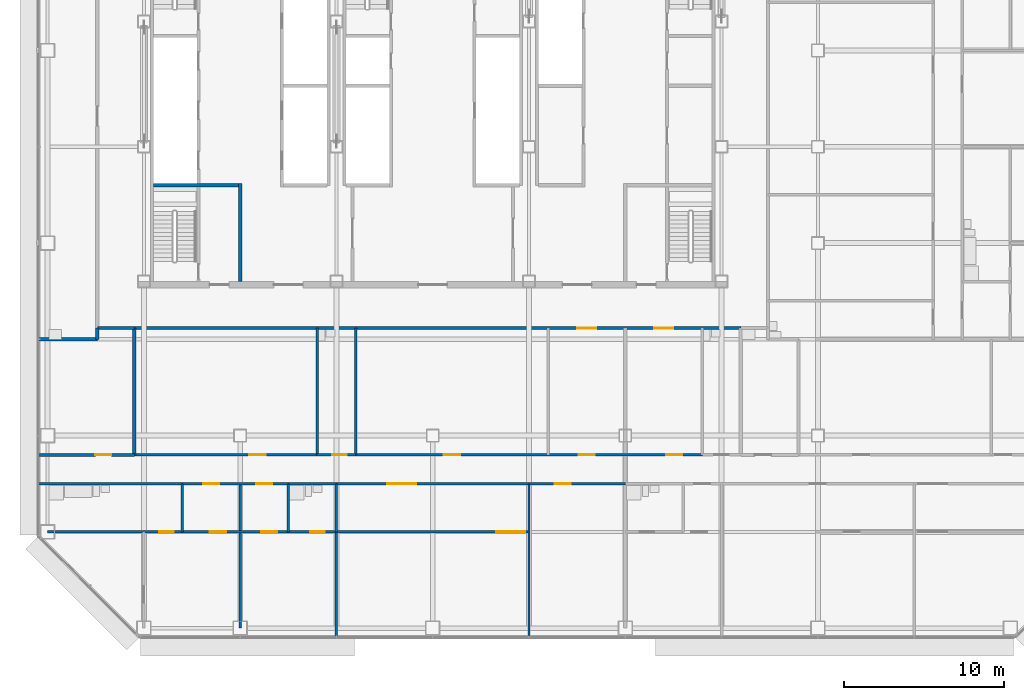
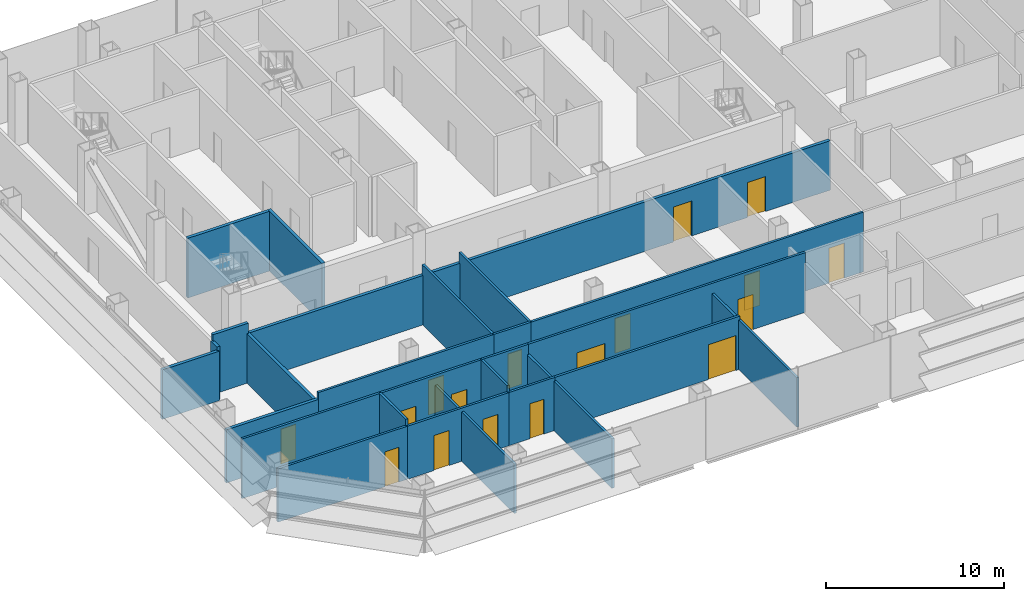
# One storey, part 20 of 27: 27 walls, 17 doors, 17 openings.
"""IFC4 building model written with IfcOpenShell, lengths in metres."""

from ifc_helpers import new_model, si_unit, direction, frame, frame_2d, origin, place, context, subcontext, project, spatial, rectangle, extrude, material, layer, layer_set, type_object, element, fill, save


model = new_model("IFC4")

# Units and contexts
model_context = context("Model", 3, precision=1e-05, world=origin(), true_north=direction((0.0, 1.0)))
body_context = subcontext(model_context, "Body", "Model", "MODEL_VIEW")
ifc_project = project(units=[si_unit("LENGTHUNIT", "METRE"), si_unit("AREAUNIT", "SQUARE_METRE"), si_unit("VOLUMEUNIT", "CUBIC_METRE"), si_unit("PLANEANGLEUNIT", "RADIAN"), si_unit("MASSUNIT", "GRAM", prefix="KILO")], contexts=[model_context])

# Site, building, storey
site_placement = place(None, origin())
site = spatial("IfcSite", under=ifc_project, at=site_placement, CompositionType="ELEMENT")
building_placement = place(site_placement, origin())
building = spatial("IfcBuilding", under=site, at=building_placement, Name="Sorahane Residences", CompositionType="ELEMENT")
storey_placement = place(building_placement, frame((0.0, 0.0, 85.800048828125)))
storey = spatial("IfcBuildingStorey", under=building, at=storey_placement, Name="L18", CompositionType="ELEMENT", Elevation=85.800048828125)

# Wall, openings, doors
ifc_material_1 = material(Name="Concrete blockwork C20 wall", Category="masonry")
ifc_layer_1 = layer(ifc_material_1, 0.199951171875)
ifc_layer_set_1 = layer_set([ifc_layer_1], Name="Corridor wall 200 EI 120")
wall_type_1 = type_object("IfcWallType", Name="Corridor wall 200 EI 120", PredefinedType="SOLIDWALL", material=ifc_layer_set_1)
wall_1_placement = place(storey_placement, frame((5.39990234375, 18.699951171875, 0.0), z_axis=(0.0, 0.0, 1.0), x_axis=(1.0, 0.0, 0.0)))
wall_1 = element("IfcWall", 1, at=wall_1_placement, inside=storey, type_object=wall_type_1, Name="L18 corridor wall", PredefinedType="SOLIDWALL", context=body_context, shape_type="SweptSolid", body=[
    extrude(rectangle(XDim=37.800048828125, YDim=0.199951171875, at=frame_2d((18.89990234375, 0.0))), origin(), (0.0, 0.0, 1.0), 3.39990234375),
])
opening_1_placement = place(wall_1_placement, frame((27.60009765625, 0.0, 0.0)))
opening_1 = element("IfcOpeningElement", 2, at=opening_1_placement, cuts=wall_1, Name="Opening L18-40", PredefinedType="OPENING", context=body_context, shape_type="SweptSolid", body=[
    extrude(rectangle(XDim=1.199951171875, YDim=2.39990234375, at=frame_2d((0.60009765625, 1.199951171875))), frame((0.0, 0.10986328125, 0.0), z_axis=(0.0, -1.0, 0.0), x_axis=(1.0, 0.0, 0.0)), (0.0, 0.0, 1.0), 0.219970703125),
])
opening_2_placement = place(wall_1_placement, frame((32.39990234375, 0.0, 0.0)))
opening_2 = element("IfcOpeningElement", 3, at=opening_2_placement, cuts=wall_1, Name="Opening L18-41", PredefinedType="OPENING", context=body_context, shape_type="SweptSolid", body=[
    extrude(rectangle(XDim=1.199951171875, YDim=2.39990234375, at=frame_2d((0.60009765625, 1.199951171875))), frame((0.0, 0.10986328125, 0.0), z_axis=(0.0, -1.0, 0.0), x_axis=(1.0, 0.0, 0.0)), (0.0, 0.0, 1.0), 0.219970703125),
])
ifc_material_2 = material(Name="Timber veneered fire door", Category="wood")
door_type_1 = type_object("IfcDoorType", Name="Flat entrance door 1200x2400 FD60", OperationType="NOTDEFINED", PredefinedType="DOOR", material=ifc_material_2)
door_1_placement = place(opening_1_placement, frame((1.199951171875, 0.0, 0.0), z_axis=(0.0, 0.0, 1.0), x_axis=(-1.0, 0.0, 0.0)))
door_1 = element("IfcDoor", 4, at=door_1_placement, inside=storey, type_object=door_type_1, Name="Flat entrance door L18-40", OperationType="SINGLE_SWING_LEFT", OverallHeight=2.39990234375, OverallWidth=1.199951171875, PredefinedType="DOOR", context=body_context, shape_type="SweptSolid", body=[
    extrude(rectangle(XDim=1.199951171875, YDim=2.39990234375, at=frame_2d((0.60009765625, 1.199951171875))), frame((0.0, 0.02490234375, 0.0), z_axis=(0.0, -1.0, 0.0), x_axis=(1.0, 0.0, 0.0)), (0.0, 0.0, 1.0), 0.050048828125),
])
fill(opening_1, door_1)
door_2_placement = place(opening_2_placement, frame((1.199951171875, 0.0, 0.0), z_axis=(0.0, 0.0, 1.0), x_axis=(-1.0, 0.0, 0.0)))
door_2 = element("IfcDoor", 5, at=door_2_placement, inside=storey, type_object=door_type_1, Name="Flat entrance door L18-41", OperationType="SINGLE_SWING_LEFT", OverallHeight=2.39990234375, OverallWidth=1.199951171875, PredefinedType="DOOR", context=body_context, shape_type="SweptSolid", body=[
    extrude(rectangle(XDim=1.199951171875, YDim=2.39990234375, at=frame_2d((0.60009765625, 1.199951171875))), frame((0.0, 0.02490234375, 0.0), z_axis=(0.0, -1.0, 0.0), x_axis=(1.0, 0.0, 0.0)), (0.0, 0.0, 1.0), 0.050048828125),
])
fill(opening_2, door_2)

# Walls
ifc_material_3 = material(Name="Concrete C30", Category="concrete")
ifc_layer_2 = layer(ifc_material_3, 0.199951171875)
ifc_layer_set_2 = layer_set([ifc_layer_2], Name="Front room wall 200 EI 120")
wall_type_2 = type_object("IfcWallType", Name="Front room wall 200 EI 120", PredefinedType="PARTITIONING", material=ifc_layer_set_2)
wall_2_placement = place(storey_placement, frame((12.0, 21.60009765625, 0.0), z_axis=(0.0, 0.0, 1.0), x_axis=(0.0, 1.0, 0.0)))
element("IfcWall", 6, at=wall_2_placement, inside=storey, type_object=wall_type_2, Name="L18 front room wall", PredefinedType="PARTITIONING", context=body_context, shape_type="SweptSolid", body=[
    extrude(rectangle(XDim=6.099853515625, YDim=0.199951171875, at=frame_2d((3.0498046875, 0.0))), origin(), (0.0, 0.0, 1.0), 4.099853515625),
])
ifc_material_4 = material(Name="Concrete blockwork C20 wall", Category="masonry")
ifc_layer_3 = layer(ifc_material_4, 0.199951171875)
ifc_layer_set_3 = layer_set([ifc_layer_3], Name="Kitchen wall 200 EI 180")
wall_type_3 = type_object("IfcWallType", Name="Kitchen wall 200 EI 180", PredefinedType="SOLIDWALL", material=ifc_layer_set_3)
wall_3_placement = place(storey_placement, frame((3.10009765625, 18.0, 0.0), z_axis=(0.0, 0.0, 1.0), x_axis=(0.0, 1.0, 0.0)))
element("IfcWall", 7, at=wall_3_placement, inside=storey, type_object=wall_type_3, Name="L18 kitchen wall", PredefinedType="SOLIDWALL", context=body_context, shape_type="SweptSolid", body=[
    extrude(rectangle(XDim=0.699951171875, YDim=0.199951171875, at=frame_2d((0.35009765625, 0.0))), origin(), (0.0, 0.0, 1.0), 3.64990234375),
])
wall_4_placement = place(storey_placement, frame((5.39990234375, 10.800048828125, 0.0), z_axis=(0.0, 0.0, 1.0), x_axis=(0.0, 1.0, 0.0)))
element("IfcWall", 8, at=wall_4_placement, inside=storey, type_object=wall_type_3, Name="L18 kitchen wall", PredefinedType="SOLIDWALL", context=body_context, shape_type="SweptSolid", body=[
    extrude(rectangle(XDim=7.89990234375, YDim=0.199951171875, at=frame_2d((3.949951171875, 0.0))), origin(), (0.0, 0.0, 1.0), 3.39990234375),
])

# Wall, opening, door
wall_5_placement = place(storey_placement, frame((-0.60009765625, 10.800048828125, 0.0), z_axis=(0.0, 0.0, 1.0), x_axis=(1.0, 0.0, 0.0)))
wall_5 = element("IfcWall", 9, at=wall_5_placement, inside=storey, type_object=wall_type_3, Name="L18 kitchen wall", PredefinedType="SOLIDWALL", context=body_context, shape_type="SweptSolid", body=[
    extrude(rectangle(XDim=6.0, YDim=0.199951171875, at=frame_2d((3.0, 0.0))), origin(), (0.0, 0.0, 1.0), 3.64990234375),
])
opening_3_placement = place(wall_5_placement, frame((3.580078125, 0.0, 0.0)))
opening_3 = element("IfcOpeningElement", 10, at=opening_3_placement, cuts=wall_5, Name="Opening L18-02", PredefinedType="OPENING", context=body_context, shape_type="SweptSolid", body=[
    extrude(rectangle(XDim=1.0, YDim=2.39990234375, at=frame_2d((0.5, 1.199951171875))), frame((0.0, 0.10986328125, 0.0), z_axis=(0.0, -1.0, 0.0), x_axis=(1.0, 0.0, 0.0)), (0.0, 0.0, 1.0), 0.219970703125),
])
ifc_material_5 = material(Name="Steel", Category="steel")
door_type_2 = type_object("IfcDoorType", Name="Kitchen door 1000x2400 FD120", OperationType="NOTDEFINED", PredefinedType="DOOR", material=ifc_material_5)
door_3_placement = place(opening_3_placement, origin())
door_3 = element("IfcDoor", 11, at=door_3_placement, inside=storey, type_object=door_type_2, Name="Kitchen door L18-02", OperationType="SINGLE_SWING_LEFT", OverallHeight=2.39990234375, OverallWidth=1.0, PredefinedType="DOOR", context=body_context, shape_type="SweptSolid", body=[
    extrude(rectangle(XDim=1.0, YDim=2.39990234375, at=frame_2d((0.5, 1.199951171875))), frame((0.0, 0.02490234375, 0.0), z_axis=(0.0, -1.0, 0.0), x_axis=(1.0, 0.0, 0.0)), (0.0, 0.0, 1.0), 0.050048828125),
])
fill(opening_3, door_3)

# Walls
wall_6_placement = place(storey_placement, frame((-0.60009765625, 18.0, 0.0), z_axis=(0.0, 0.0, 1.0), x_axis=(1.0, 0.0, 0.0)))
element("IfcWall", 12, at=wall_6_placement, inside=storey, type_object=wall_type_3, Name="L18 kitchen wall", PredefinedType="SOLIDWALL", context=body_context, shape_type="SweptSolid", body=[
    extrude(rectangle(XDim=3.7001953125, YDim=0.199951171875, at=frame_2d((1.85009765625, 0.0))), origin(), (0.0, 0.0, 1.0), 3.39990234375),
])
wall_7_placement = place(storey_placement, frame((3.10009765625, 18.699951171875, 0.0), z_axis=(0.0, 0.0, 1.0), x_axis=(1.0, 0.0, 0.0)))
element("IfcWall", 13, at=wall_7_placement, inside=storey, type_object=wall_type_3, Name="L18 kitchen wall", PredefinedType="SOLIDWALL", context=body_context, shape_type="SweptSolid", body=[
    extrude(rectangle(XDim=2.2998046875, YDim=0.199951171875, at=frame_2d((1.14990234375, 0.0))), origin(), (0.0, 0.0, 1.0), 4.099853515625),
])
ifc_material_6 = material(Name="Gypsum board partition on steel studs", Category="steel")
ifc_layer_4 = layer(ifc_material_6, 0.14990234375)
ifc_layer_set_4 = layer_set([ifc_layer_4], Name="Partition 150 EI 90")
wall_type_4 = type_object("IfcWallType", Name="Partition 150 EI 90", PredefinedType="PARTITIONING", material=ifc_layer_set_4)
wall_8_placement = place(storey_placement, frame((12.0, 0.0, 0.0), z_axis=(0.0, 0.0, 1.0), x_axis=(0.0, 1.0, 0.0)))
element("IfcWall", 14, at=wall_8_placement, inside=storey, type_object=wall_type_4, Name="L18 partition", PredefinedType="PARTITIONING", context=body_context, shape_type="SweptSolid", body=[
    extrude(rectangle(XDim=9.0, YDim=0.14990234375, at=frame_2d((4.5, 0.0))), origin(), (0.0, 0.0, 1.0), 3.39990234375),
])
wall_9_placement = place(storey_placement, frame((18.0, -0.60009765625, 0.0), z_axis=(0.0, 0.0, 1.0), x_axis=(0.0, 1.0, 0.0)))
element("IfcWall", 15, at=wall_9_placement, inside=storey, type_object=wall_type_4, Name="L18 partition", PredefinedType="PARTITIONING", context=body_context, shape_type="SweptSolid", body=[
    extrude(rectangle(XDim=6.60009765625, YDim=0.14990234375, at=frame_2d((3.300048828125, 0.0))), origin(), (0.0, 0.0, 1.0), 3.39990234375),
])
wall_10_placement = place(storey_placement, frame((30.0, -0.60009765625, 0.0), z_axis=(0.0, 0.0, 1.0), x_axis=(0.0, 1.0, 0.0)))
element("IfcWall", 16, at=wall_10_placement, inside=storey, type_object=wall_type_4, Name="L18 partition", PredefinedType="PARTITIONING", context=body_context, shape_type="SweptSolid", body=[
    extrude(rectangle(XDim=9.60009765625, YDim=0.14990234375, at=frame_2d((4.800048828125, 0.0))), origin(), (0.0, 0.0, 1.0), 3.39990234375),
])

# Wall, opening, door
wall_11_placement = place(storey_placement, frame((5.39990234375, 10.800048828125, 0.0), z_axis=(0.0, 0.0, 1.0), x_axis=(1.0, 0.0, 0.0)))
wall_11 = element("IfcWall", 17, at=wall_11_placement, inside=storey, type_object=wall_type_4, Name="L18 partition", PredefinedType="PARTITIONING", context=body_context, shape_type="SweptSolid", body=[
    extrude(rectangle(XDim=11.400146484375, YDim=0.14990234375, at=frame_2d((5.7001953125, 0.0))), origin(), (0.0, 0.0, 1.0), 4.099853515625),
])
opening_4_placement = place(wall_11_placement, frame((7.179931640625, 0.0, 0.0)))
opening_4 = element("IfcOpeningElement", 18, at=opening_4_placement, cuts=wall_11, Name="Opening L18-03", PredefinedType="OPENING", context=body_context, shape_type="SweptSolid", body=[
    extrude(rectangle(XDim=1.0, YDim=2.39990234375, at=frame_2d((0.5, 1.199951171875))), frame((0.0, 0.0849609375, 0.0), z_axis=(0.0, -1.0, 0.0), x_axis=(1.0, 0.0, 0.0)), (0.0, 0.0, 1.0), 0.169921875),
])
ifc_material_7 = material(Name="Timber veneered fire door", Category="wood")
door_type_3 = type_object("IfcDoorType", Name="Room door 1000x2400 FD30", OperationType="NOTDEFINED", PredefinedType="DOOR", material=ifc_material_7)
door_4_placement = place(opening_4_placement, origin())
door_4 = element("IfcDoor", 19, at=door_4_placement, inside=storey, type_object=door_type_3, Name="Room door L18-03", OperationType="SINGLE_SWING_LEFT", OverallHeight=2.39990234375, OverallWidth=1.0, PredefinedType="DOOR", context=body_context, shape_type="SweptSolid", body=[
    extrude(rectangle(XDim=1.0, YDim=2.39990234375, at=frame_2d((0.5, 1.199951171875))), frame((0.0, 0.02490234375, 0.0), z_axis=(0.0, -1.0, 0.0), x_axis=(1.0, 0.0, 0.0)), (0.0, 0.0, 1.0), 0.050048828125),
])
fill(opening_4, door_4)

# Wall, openings, doors
wall_12_placement = place(storey_placement, frame((19.199951171875, 10.800048828125, 0.0), z_axis=(0.0, 0.0, 1.0), x_axis=(1.0, 0.0, 0.0)))
wall_12 = element("IfcWall", 20, at=wall_12_placement, inside=storey, type_object=wall_type_4, Name="L18 partition", PredefinedType="PARTITIONING", context=body_context, shape_type="SweptSolid", body=[
    extrude(rectangle(XDim=21.60009765625, YDim=0.14990234375, at=frame_2d((10.800048828125, 0.0))), origin(), (0.0, 0.0, 1.0), 4.099853515625),
])
opening_5_placement = place(wall_12_placement, frame((13.89990234375, 0.0, 0.0)))
opening_5 = element("IfcOpeningElement", 21, at=opening_5_placement, cuts=wall_12, Name="Opening L18-01", PredefinedType="OPENING", context=body_context, shape_type="SweptSolid", body=[
    extrude(rectangle(XDim=1.0, YDim=2.39990234375, at=frame_2d((0.5, 1.199951171875))), frame((0.0, 0.0849609375, 0.0), z_axis=(0.0, -1.0, 0.0), x_axis=(1.0, 0.0, 0.0)), (0.0, 0.0, 1.0), 0.169921875),
])
opening_6_placement = place(wall_12_placement, frame((5.5, 0.0, 0.0)))
opening_6 = element("IfcOpeningElement", 22, at=opening_6_placement, cuts=wall_12, Name="Opening L18-05", PredefinedType="OPENING", context=body_context, shape_type="SweptSolid", body=[
    extrude(rectangle(XDim=1.0, YDim=2.39990234375, at=frame_2d((0.5, 1.199951171875))), frame((0.0, 0.0849609375, 0.0), z_axis=(0.0, -1.0, 0.0), x_axis=(1.0, 0.0, 0.0)), (0.0, 0.0, 1.0), 0.169921875),
])
opening_7_placement = place(wall_12_placement, frame((19.360107421875, 0.0, 0.0)))
opening_7 = element("IfcOpeningElement", 23, at=opening_7_placement, cuts=wall_12, Name="Opening L18-16", PredefinedType="OPENING", context=body_context, shape_type="SweptSolid", body=[
    extrude(rectangle(XDim=1.0, YDim=2.39990234375, at=frame_2d((0.5, 1.199951171875))), frame((0.0, 0.0849609375, 0.0), z_axis=(0.0, -1.0, 0.0), x_axis=(1.0, 0.0, 0.0)), (0.0, 0.0, 1.0), 0.169921875),
])
door_5_placement = place(opening_5_placement, frame((1.0, 0.0, 0.0), z_axis=(0.0, 0.0, 1.0), x_axis=(-1.0, 0.0, 0.0)))
door_5 = element("IfcDoor", 24, at=door_5_placement, inside=storey, type_object=door_type_3, Name="Room door L18-01", OperationType="SINGLE_SWING_RIGHT", OverallHeight=2.39990234375, OverallWidth=1.0, PredefinedType="DOOR", context=body_context, shape_type="SweptSolid", body=[
    extrude(rectangle(XDim=1.0, YDim=2.39990234375, at=frame_2d((0.5, 1.199951171875))), frame((0.0, 0.02490234375, 0.0), z_axis=(0.0, -1.0, 0.0), x_axis=(1.0, 0.0, 0.0)), (0.0, 0.0, 1.0), 0.050048828125),
])
fill(opening_5, door_5)
door_6_placement = place(opening_6_placement, origin())
door_6 = element("IfcDoor", 25, at=door_6_placement, inside=storey, type_object=door_type_3, Name="Room door L18-05", OperationType="SINGLE_SWING_LEFT", OverallHeight=2.39990234375, OverallWidth=1.0, PredefinedType="DOOR", context=body_context, shape_type="SweptSolid", body=[
    extrude(rectangle(XDim=1.0, YDim=2.39990234375, at=frame_2d((0.5, 1.199951171875))), frame((0.0, 0.02490234375, 0.0), z_axis=(0.0, -1.0, 0.0), x_axis=(1.0, 0.0, 0.0)), (0.0, 0.0, 1.0), 0.050048828125),
])
fill(opening_6, door_6)
door_7_placement = place(opening_7_placement, frame((1.0, 0.0, 0.0), z_axis=(0.0, 0.0, 1.0), x_axis=(-1.0, 0.0, 0.0)))
door_7 = element("IfcDoor", 26, at=door_7_placement, inside=storey, type_object=door_type_3, Name="Room door L18-16", OperationType="SINGLE_SWING_LEFT", OverallHeight=2.39990234375, OverallWidth=1.0, PredefinedType="DOOR", context=body_context, shape_type="SweptSolid", body=[
    extrude(rectangle(XDim=1.0, YDim=2.39990234375, at=frame_2d((0.5, 1.199951171875))), frame((0.0, 0.02490234375, 0.0), z_axis=(0.0, -1.0, 0.0), x_axis=(1.0, 0.0, 0.0)), (0.0, 0.0, 1.0), 0.050048828125),
])
fill(opening_7, door_7)

wall_13_placement = place(storey_placement, frame((8.39990234375, 6.0, 0.0), z_axis=(0.0, 0.0, 1.0), x_axis=(1.0, 0.0, 0.0)))
wall_13 = element("IfcWall", 27, at=wall_13_placement, inside=storey, type_object=wall_type_4, Name="L18 partition", PredefinedType="PARTITIONING", context=body_context, shape_type="SweptSolid", body=[
    extrude(rectangle(XDim=6.60009765625, YDim=0.14990234375, at=frame_2d((3.300048828125, 0.0))), origin(), (0.0, 0.0, 1.0), 3.64990234375),
])
opening_8_placement = place(wall_13_placement, frame((1.719970703125, 0.0, 0.0)))
opening_8 = element("IfcOpeningElement", 28, at=opening_8_placement, cuts=wall_13, Name="Opening L18-10", PredefinedType="OPENING", context=body_context, shape_type="SweptSolid", body=[
    extrude(rectangle(XDim=1.0, YDim=2.39990234375, at=frame_2d((0.5, 1.199951171875))), frame((0.0, 0.0849609375, 0.0), z_axis=(0.0, -1.0, 0.0), x_axis=(1.0, 0.0, 0.0)), (0.0, 0.0, 1.0), 0.169921875),
])
opening_9_placement = place(wall_13_placement, frame((4.89990234375, 0.0, 0.0)))
opening_9 = element("IfcOpeningElement", 29, at=opening_9_placement, cuts=wall_13, Name="Opening L18-13", PredefinedType="OPENING", context=body_context, shape_type="SweptSolid", body=[
    extrude(rectangle(XDim=1.0, YDim=2.39990234375, at=frame_2d((0.5, 1.199951171875))), frame((0.0, 0.0849609375, 0.0), z_axis=(0.0, -1.0, 0.0), x_axis=(1.0, 0.0, 0.0)), (0.0, 0.0, 1.0), 0.169921875),
])
door_8_placement = place(opening_8_placement, frame((1.0, 0.0, 0.0), z_axis=(0.0, 0.0, 1.0), x_axis=(-1.0, 0.0, 0.0)))
door_8 = element("IfcDoor", 30, at=door_8_placement, inside=storey, type_object=door_type_3, Name="Room door L18-10", OperationType="SINGLE_SWING_RIGHT", OverallHeight=2.39990234375, OverallWidth=1.0, PredefinedType="DOOR", context=body_context, shape_type="SweptSolid", body=[
    extrude(rectangle(XDim=1.0, YDim=2.39990234375, at=frame_2d((0.5, 1.199951171875))), frame((0.0, 0.02490234375, 0.0), z_axis=(0.0, -1.0, 0.0), x_axis=(1.0, 0.0, 0.0)), (0.0, 0.0, 1.0), 0.050048828125),
])
fill(opening_8, door_8)
door_9_placement = place(opening_9_placement, frame((1.0, 0.0, 0.0), z_axis=(0.0, 0.0, 1.0), x_axis=(-1.0, 0.0, 0.0)))
door_9 = element("IfcDoor", 31, at=door_9_placement, inside=storey, type_object=door_type_3, Name="Room door L18-13", OperationType="SINGLE_SWING_LEFT", OverallHeight=2.39990234375, OverallWidth=1.0, PredefinedType="DOOR", context=body_context, shape_type="SweptSolid", body=[
    extrude(rectangle(XDim=1.0, YDim=2.39990234375, at=frame_2d((0.5, 1.199951171875))), frame((0.0, 0.02490234375, 0.0), z_axis=(0.0, -1.0, 0.0), x_axis=(1.0, 0.0, 0.0)), (0.0, 0.0, 1.0), 0.050048828125),
])
fill(opening_9, door_9)

# Wall, opening, door
wall_14_placement = place(storey_placement, frame((18.0, 6.0, 0.0), z_axis=(0.0, 0.0, 1.0), x_axis=(1.0, 0.0, 0.0)))
wall_14 = element("IfcWall", 32, at=wall_14_placement, inside=storey, type_object=wall_type_4, Name="L18 partition", PredefinedType="PARTITIONING", context=body_context, shape_type="SweptSolid", body=[
    extrude(rectangle(XDim=12.0, YDim=0.14990234375, at=frame_2d((6.0, 0.0))), origin(), (0.0, 0.0, 1.0), 3.64990234375),
])
opening_10_placement = place(wall_14_placement, frame((9.949951171875, 0.0, 0.0)))
opening_10 = element("IfcOpeningElement", 33, at=opening_10_placement, cuts=wall_14, Name="Opening L18-15", PredefinedType="OPENING", context=body_context, shape_type="SweptSolid", body=[
    extrude(rectangle(XDim=1.800048828125, YDim=2.39990234375, at=frame_2d((0.89990234375, 1.199951171875))), frame((0.0, 0.0849609375, 0.0), z_axis=(0.0, -1.0, 0.0), x_axis=(1.0, 0.0, 0.0)), (0.0, 0.0, 1.0), 0.169921875),
])
ifc_material_8 = material(Name="Timber veneered fire door", Category="wood")
door_type_4 = type_object("IfcDoorType", Name="Double door 1800x2400 FD30", OperationType="NOTDEFINED", PredefinedType="DOOR", material=ifc_material_8)
door_10_placement = place(opening_10_placement, frame((1.800048828125, 0.0, 0.0), z_axis=(0.0, 0.0, 1.0), x_axis=(-1.0, 0.0, 0.0)))
door_10 = element("IfcDoor", 34, at=door_10_placement, inside=storey, type_object=door_type_4, Name="Double door L18-15", OperationType="SINGLE_SWING_LEFT", OverallHeight=2.39990234375, OverallWidth=1.800048828125, PredefinedType="DOOR", context=body_context, shape_type="SweptSolid", body=[
    extrude(rectangle(XDim=1.800048828125, YDim=2.39990234375, at=frame_2d((0.89990234375, 1.199951171875))), frame((0.0, 0.02490234375, 0.0), z_axis=(0.0, -1.0, 0.0), x_axis=(1.0, 0.0, 0.0)), (0.0, 0.0, 1.0), 0.050048828125),
])
fill(opening_10, door_10)

# Wall, openings, doors
wall_15_placement = place(storey_placement, frame((8.39990234375, 9.0, 0.0), z_axis=(0.0, 0.0, 1.0), x_axis=(1.0, 0.0, 0.0)))
wall_15 = element("IfcWall", 35, at=wall_15_placement, inside=storey, type_object=wall_type_4, Name="L18 partition", PredefinedType="PARTITIONING", context=body_context, shape_type="SweptSolid", body=[
    extrude(rectangle(XDim=6.60009765625, YDim=0.14990234375, at=frame_2d((3.300048828125, 0.0))), origin(), (0.0, 0.0, 1.0), 4.099853515625),
])
opening_11_placement = place(wall_15_placement, frame((1.300048828125, 0.0, 0.0)))
opening_11 = element("IfcOpeningElement", 36, at=opening_11_placement, cuts=wall_15, Name="Opening L18-06", PredefinedType="OPENING", context=body_context, shape_type="SweptSolid", body=[
    extrude(rectangle(XDim=1.0, YDim=2.39990234375, at=frame_2d((0.5, 1.199951171875))), frame((0.0, 0.0849609375, 0.0), z_axis=(0.0, -1.0, 0.0), x_axis=(1.0, 0.0, 0.0)), (0.0, 0.0, 1.0), 0.169921875),
])
opening_12_placement = place(wall_15_placement, frame((4.60009765625, 0.0, 0.0)))
opening_12 = element("IfcOpeningElement", 37, at=opening_12_placement, cuts=wall_15, Name="Opening L18-07", PredefinedType="OPENING", context=body_context, shape_type="SweptSolid", body=[
    extrude(rectangle(XDim=1.0, YDim=2.39990234375, at=frame_2d((0.5, 1.199951171875))), frame((0.0, 0.0849609375, 0.0), z_axis=(0.0, -1.0, 0.0), x_axis=(1.0, 0.0, 0.0)), (0.0, 0.0, 1.0), 0.169921875),
])
door_11_placement = place(opening_11_placement, frame((1.0, 0.0, 0.0), z_axis=(0.0, 0.0, 1.0), x_axis=(-1.0, 0.0, 0.0)))
door_11 = element("IfcDoor", 38, at=door_11_placement, inside=storey, type_object=door_type_3, Name="Room door L18-06", OperationType="SINGLE_SWING_LEFT", OverallHeight=2.39990234375, OverallWidth=1.0, PredefinedType="DOOR", context=body_context, shape_type="SweptSolid", body=[
    extrude(rectangle(XDim=1.0, YDim=2.39990234375, at=frame_2d((0.5, 1.199951171875))), frame((0.0, 0.02490234375, 0.0), z_axis=(0.0, -1.0, 0.0), x_axis=(1.0, 0.0, 0.0)), (0.0, 0.0, 1.0), 0.050048828125),
])
fill(opening_11, door_11)
door_12_placement = place(opening_12_placement, frame((1.0, 0.0, 0.0), z_axis=(0.0, 0.0, 1.0), x_axis=(-1.0, 0.0, 0.0)))
door_12 = element("IfcDoor", 39, at=door_12_placement, inside=storey, type_object=door_type_3, Name="Room door L18-07", OperationType="SINGLE_SWING_RIGHT", OverallHeight=2.39990234375, OverallWidth=1.0, PredefinedType="DOOR", context=body_context, shape_type="SweptSolid", body=[
    extrude(rectangle(XDim=1.0, YDim=2.39990234375, at=frame_2d((0.5, 1.199951171875))), frame((0.0, 0.02490234375, 0.0), z_axis=(0.0, -1.0, 0.0), x_axis=(1.0, 0.0, 0.0)), (0.0, 0.0, 1.0), 0.050048828125),
])
fill(opening_12, door_12)

wall_16_placement = place(storey_placement, frame((18.0, 9.0, 0.0), z_axis=(0.0, 0.0, 1.0), x_axis=(1.0, 0.0, 0.0)))
wall_16 = element("IfcWall", 40, at=wall_16_placement, inside=storey, type_object=wall_type_4, Name="L18 partition", PredefinedType="PARTITIONING", context=body_context, shape_type="SweptSolid", body=[
    extrude(rectangle(XDim=18.0, YDim=0.14990234375, at=frame_2d((9.0, 0.0))), origin(), (0.0, 0.0, 1.0), 4.099853515625),
])
opening_13_placement = place(wall_16_placement, frame((3.159912109375, 0.0, 0.0)))
opening_13 = element("IfcOpeningElement", 41, at=opening_13_placement, cuts=wall_16, Name="Opening L18-08", PredefinedType="OPENING", context=body_context, shape_type="SweptSolid", body=[
    extrude(rectangle(XDim=1.800048828125, YDim=2.39990234375, at=frame_2d((0.89990234375, 1.199951171875))), frame((0.0, 0.0849609375, 0.0), z_axis=(0.0, -1.0, 0.0), x_axis=(1.0, 0.0, 0.0)), (0.0, 0.0, 1.0), 0.169921875),
])
opening_14_placement = place(wall_16_placement, frame((13.60009765625, 0.0, 0.0)))
opening_14 = element("IfcOpeningElement", 42, at=opening_14_placement, cuts=wall_16, Name="Opening L18-09", PredefinedType="OPENING", context=body_context, shape_type="SweptSolid", body=[
    extrude(rectangle(XDim=1.0, YDim=2.39990234375, at=frame_2d((0.5, 1.199951171875))), frame((0.0, 0.0849609375, 0.0), z_axis=(0.0, -1.0, 0.0), x_axis=(1.0, 0.0, 0.0)), (0.0, 0.0, 1.0), 0.169921875),
])
door_13_placement = place(opening_13_placement, frame((1.800048828125, 0.0, 0.0), z_axis=(0.0, 0.0, 1.0), x_axis=(-1.0, 0.0, 0.0)))
door_13 = element("IfcDoor", 43, at=door_13_placement, inside=storey, type_object=door_type_4, Name="Double door L18-08", OperationType="SINGLE_SWING_RIGHT", OverallHeight=2.39990234375, OverallWidth=1.800048828125, PredefinedType="DOOR", context=body_context, shape_type="SweptSolid", body=[
    extrude(rectangle(XDim=1.800048828125, YDim=2.39990234375, at=frame_2d((0.89990234375, 1.199951171875))), frame((0.0, 0.02490234375, 0.0), z_axis=(0.0, -1.0, 0.0), x_axis=(1.0, 0.0, 0.0)), (0.0, 0.0, 1.0), 0.050048828125),
])
fill(opening_13, door_13)
door_14_placement = place(opening_14_placement, frame((1.0, 0.0, 0.0), z_axis=(0.0, 0.0, 1.0), x_axis=(-1.0, 0.0, 0.0)))
door_14 = element("IfcDoor", 44, at=door_14_placement, inside=storey, type_object=door_type_3, Name="Room door L18-09", OperationType="SINGLE_SWING_RIGHT", OverallHeight=2.39990234375, OverallWidth=1.0, PredefinedType="DOOR", context=body_context, shape_type="SweptSolid", body=[
    extrude(rectangle(XDim=1.0, YDim=2.39990234375, at=frame_2d((0.5, 1.199951171875))), frame((0.0, 0.02490234375, 0.0), z_axis=(0.0, -1.0, 0.0), x_axis=(1.0, 0.0, 0.0)), (0.0, 0.0, 1.0), 0.050048828125),
])
fill(opening_14, door_14)

# Walls
ifc_material_9 = material(Name="Concrete C30", Category="concrete")
ifc_layer_5 = layer(ifc_material_9, 0.199951171875)
ifc_layer_set_5 = layer_set([ifc_layer_5], Name="Stair enclosure wall 200 EI 120")
wall_type_5 = type_object("IfcWallType", Name="Stair enclosure wall 200 EI 120", PredefinedType="SOLIDWALL", material=ifc_layer_set_5)
wall_17_placement = place(storey_placement, frame((6.60009765625, 27.60009765625, 0.0), z_axis=(0.0, 0.0, 1.0), x_axis=(1.0, 0.0, 0.0)))
element("IfcWall", 45, at=wall_17_placement, inside=storey, type_object=wall_type_5, Name="L18 stair enclosure wall", PredefinedType="SOLIDWALL", context=body_context, shape_type="SweptSolid", body=[
    extrude(rectangle(XDim=5.2998046875, YDim=0.199951171875, at=frame_2d((2.64990234375, 0.0))), origin(), (0.0, 0.0, 1.0), 4.099853515625),
])
ifc_material_10 = material(Name="Gypsum board partition on steel studs", Category="steel")
ifc_layer_6 = layer(ifc_material_10, 0.14990234375)
ifc_layer_set_6 = layer_set([ifc_layer_6], Name="Wet wall 150 EI 90")
wall_type_6 = type_object("IfcWallType", Name="Wet wall 150 EI 90", PredefinedType="PARTITIONING", material=ifc_layer_set_6)
wall_18_placement = place(storey_placement, frame((15.0, 6.0, 0.0), z_axis=(0.0, 0.0, 1.0), x_axis=(0.0, 1.0, 0.0)))
element("IfcWall", 46, at=wall_18_placement, inside=storey, type_object=wall_type_6, Name="L18 wet wall", PredefinedType="PARTITIONING", context=body_context, shape_type="SweptSolid", body=[
    extrude(rectangle(XDim=3.0, YDim=0.14990234375, at=frame_2d((1.5, 0.0))), origin(), (0.0, 0.0, 1.0), 4.099853515625),
])
wall_19_placement = place(storey_placement, frame((16.800048828125, 10.800048828125, 0.0), z_axis=(0.0, 0.0, 1.0), x_axis=(0.0, 1.0, 0.0)))
element("IfcWall", 47, at=wall_19_placement, inside=storey, type_object=wall_type_6, Name="L18 wet wall", PredefinedType="PARTITIONING", context=body_context, shape_type="SweptSolid", body=[
    extrude(rectangle(XDim=7.89990234375, YDim=0.14990234375, at=frame_2d((3.949951171875, 0.0))), origin(), (0.0, 0.0, 1.0), 4.099853515625),
])
wall_20_placement = place(storey_placement, frame((18.0, 6.0, 0.0), z_axis=(0.0, 0.0, 1.0), x_axis=(0.0, 1.0, 0.0)))
element("IfcWall", 48, at=wall_20_placement, inside=storey, type_object=wall_type_6, Name="L18 wet wall", PredefinedType="PARTITIONING", context=body_context, shape_type="SweptSolid", body=[
    extrude(rectangle(XDim=3.0, YDim=0.14990234375, at=frame_2d((1.5, 0.0))), origin(), (0.0, 0.0, 1.0), 3.39990234375),
])
wall_21_placement = place(storey_placement, frame((19.199951171875, 10.800048828125, 0.0), z_axis=(0.0, 0.0, 1.0), x_axis=(0.0, 1.0, 0.0)))
element("IfcWall", 49, at=wall_21_placement, inside=storey, type_object=wall_type_6, Name="L18 wet wall", PredefinedType="PARTITIONING", context=body_context, shape_type="SweptSolid", body=[
    extrude(rectangle(XDim=7.89990234375, YDim=0.14990234375, at=frame_2d((3.949951171875, 0.0))), origin(), (0.0, 0.0, 1.0), 4.099853515625),
])
wall_22_placement = place(storey_placement, frame((8.39990234375, 6.0, 0.0), z_axis=(0.0, 0.0, 1.0), x_axis=(0.0, 1.0, 0.0)))
element("IfcWall", 50, at=wall_22_placement, inside=storey, type_object=wall_type_6, Name="L18 wet wall", PredefinedType="PARTITIONING", context=body_context, shape_type="SweptSolid", body=[
    extrude(rectangle(XDim=3.0, YDim=0.14990234375, at=frame_2d((1.5, 0.0))), origin(), (0.0, 0.0, 1.0), 4.099853515625),
])

# Wall, opening, door
wall_23_placement = place(storey_placement, frame((16.800048828125, 10.800048828125, 0.0), z_axis=(0.0, 0.0, 1.0), x_axis=(1.0, 0.0, 0.0)))
wall_23 = element("IfcWall", 51, at=wall_23_placement, inside=storey, type_object=wall_type_6, Name="L18 wet wall", PredefinedType="PARTITIONING", context=body_context, shape_type="SweptSolid", body=[
    extrude(rectangle(XDim=2.39990234375, YDim=0.14990234375, at=frame_2d((1.199951171875, 0.0))), origin(), (0.0, 0.0, 1.0), 4.099853515625),
])
opening_15_placement = place(wall_23_placement, frame((0.949951171875, 0.0, 0.0)))
opening_15 = element("IfcOpeningElement", 52, at=opening_15_placement, cuts=wall_23, Name="Opening L18-04", PredefinedType="OPENING", context=body_context, shape_type="SweptSolid", body=[
    extrude(rectangle(XDim=0.89990234375, YDim=2.39990234375, at=frame_2d((0.449951171875, 1.199951171875))), frame((0.0, 0.0849609375, 0.0), z_axis=(0.0, -1.0, 0.0), x_axis=(1.0, 0.0, 0.0)), (0.0, 0.0, 1.0), 0.169921875),
])
ifc_material_11 = material(Name="Timber veneered fire door", Category="wood")
door_type_5 = type_object("IfcDoorType", Name="Bathroom door 900x2400 FD30", OperationType="NOTDEFINED", PredefinedType="DOOR", material=ifc_material_11)
door_15_placement = place(opening_15_placement, frame((0.89990234375, 0.0, 0.0), z_axis=(0.0, 0.0, 1.0), x_axis=(-1.0, 0.0, 0.0)))
door_15 = element("IfcDoor", 53, at=door_15_placement, inside=storey, type_object=door_type_5, Name="Bathroom door L18-04", OperationType="SINGLE_SWING_RIGHT", OverallHeight=2.39990234375, OverallWidth=0.89990234375, PredefinedType="DOOR", context=body_context, shape_type="SweptSolid", body=[
    extrude(rectangle(XDim=0.89990234375, YDim=2.39990234375, at=frame_2d((0.449951171875, 1.199951171875))), frame((0.0, 0.02490234375, 0.0), z_axis=(0.0, -1.0, 0.0), x_axis=(1.0, 0.0, 0.0)), (0.0, 0.0, 1.0), 0.050048828125),
])
fill(opening_15, door_15)

wall_24_placement = place(storey_placement, frame((0.0, 6.0, 0.0), z_axis=(0.0, 0.0, 1.0), x_axis=(1.0, 0.0, 0.0)))
wall_24 = element("IfcWall", 54, at=wall_24_placement, inside=storey, type_object=wall_type_6, Name="L18 wet wall", PredefinedType="PARTITIONING", context=body_context, shape_type="SweptSolid", body=[
    extrude(rectangle(XDim=8.39990234375, YDim=0.14990234375, at=frame_2d((4.199951171875, 0.0))), origin(), (0.0, 0.0, 1.0), 3.64990234375),
])
opening_16_placement = place(wall_24_placement, frame((6.949951171875, 0.0, 0.0)))
opening_16 = element("IfcOpeningElement", 55, at=opening_16_placement, cuts=wall_24, Name="Opening L18-12", PredefinedType="OPENING", context=body_context, shape_type="SweptSolid", body=[
    extrude(rectangle(XDim=0.89990234375, YDim=2.39990234375, at=frame_2d((0.449951171875, 1.199951171875))), frame((0.0, 0.0849609375, 0.0), z_axis=(0.0, -1.0, 0.0), x_axis=(1.0, 0.0, 0.0)), (0.0, 0.0, 1.0), 0.169921875),
])
door_16_placement = place(opening_16_placement, frame((0.89990234375, 0.0, 0.0), z_axis=(0.0, 0.0, 1.0), x_axis=(-1.0, 0.0, 0.0)))
door_16 = element("IfcDoor", 56, at=door_16_placement, inside=storey, type_object=door_type_5, Name="Bathroom door L18-12", OperationType="SINGLE_SWING_RIGHT", OverallHeight=2.39990234375, OverallWidth=0.89990234375, PredefinedType="DOOR", context=body_context, shape_type="SweptSolid", body=[
    extrude(rectangle(XDim=0.89990234375, YDim=2.39990234375, at=frame_2d((0.449951171875, 1.199951171875))), frame((0.0, 0.02490234375, 0.0), z_axis=(0.0, -1.0, 0.0), x_axis=(1.0, 0.0, 0.0)), (0.0, 0.0, 1.0), 0.050048828125),
])
fill(opening_16, door_16)

wall_25_placement = place(storey_placement, frame((15.0, 6.0, 0.0), z_axis=(0.0, 0.0, 1.0), x_axis=(1.0, 0.0, 0.0)))
wall_25 = element("IfcWall", 57, at=wall_25_placement, inside=storey, type_object=wall_type_6, Name="L18 wet wall", PredefinedType="PARTITIONING", context=body_context, shape_type="SweptSolid", body=[
    extrude(rectangle(XDim=3.0, YDim=0.14990234375, at=frame_2d((1.5, 0.0))), origin(), (0.0, 0.0, 1.0), 3.64990234375),
])
opening_17_placement = place(wall_25_placement, frame((1.3701171875, 0.0, 0.0)))
opening_17 = element("IfcOpeningElement", 58, at=opening_17_placement, cuts=wall_25, Name="Opening L18-14", PredefinedType="OPENING", context=body_context, shape_type="SweptSolid", body=[
    extrude(rectangle(XDim=0.89990234375, YDim=2.39990234375, at=frame_2d((0.449951171875, 1.199951171875))), frame((0.0, 0.0849609375, 0.0), z_axis=(0.0, -1.0, 0.0), x_axis=(1.0, 0.0, 0.0)), (0.0, 0.0, 1.0), 0.169921875),
])
door_17_placement = place(opening_17_placement, frame((0.89990234375, 0.0, 0.0), z_axis=(0.0, 0.0, 1.0), x_axis=(-1.0, 0.0, 0.0)))
door_17 = element("IfcDoor", 59, at=door_17_placement, inside=storey, type_object=door_type_5, Name="Bathroom door L18-14", OperationType="SINGLE_SWING_LEFT", OverallHeight=2.39990234375, OverallWidth=0.89990234375, PredefinedType="DOOR", context=body_context, shape_type="SweptSolid", body=[
    extrude(rectangle(XDim=0.89990234375, YDim=2.39990234375, at=frame_2d((0.449951171875, 1.199951171875))), frame((0.0, 0.02490234375, 0.0), z_axis=(0.0, -1.0, 0.0), x_axis=(1.0, 0.0, 0.0)), (0.0, 0.0, 1.0), 0.050048828125),
])
fill(opening_17, door_17)

# Walls
wall_26_placement = place(storey_placement, frame((-0.60009765625, 9.0, 0.0), z_axis=(0.0, 0.0, 1.0), x_axis=(1.0, 0.0, 0.0)))
element("IfcWall", 60, at=wall_26_placement, inside=storey, type_object=wall_type_6, Name="L18 wet wall", PredefinedType="PARTITIONING", context=body_context, shape_type="SweptSolid", body=[
    extrude(rectangle(XDim=9.0, YDim=0.14990234375, at=frame_2d((4.5, 0.0))), origin(), (0.0, 0.0, 1.0), 4.099853515625),
])
wall_27_placement = place(storey_placement, frame((15.0, 9.0, 0.0), z_axis=(0.0, 0.0, 1.0), x_axis=(1.0, 0.0, 0.0)))
element("IfcWall", 61, at=wall_27_placement, inside=storey, type_object=wall_type_6, Name="L18 wet wall", PredefinedType="PARTITIONING", context=body_context, shape_type="SweptSolid", body=[
    extrude(rectangle(XDim=3.0, YDim=0.14990234375, at=frame_2d((1.5, 0.0))), origin(), (0.0, 0.0, 1.0), 4.099853515625),
])

save(model, "model.ifc")
